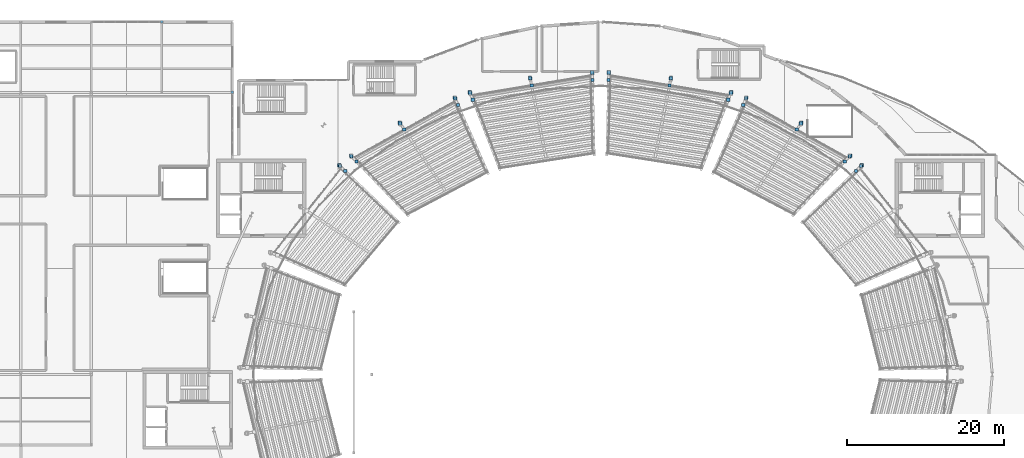
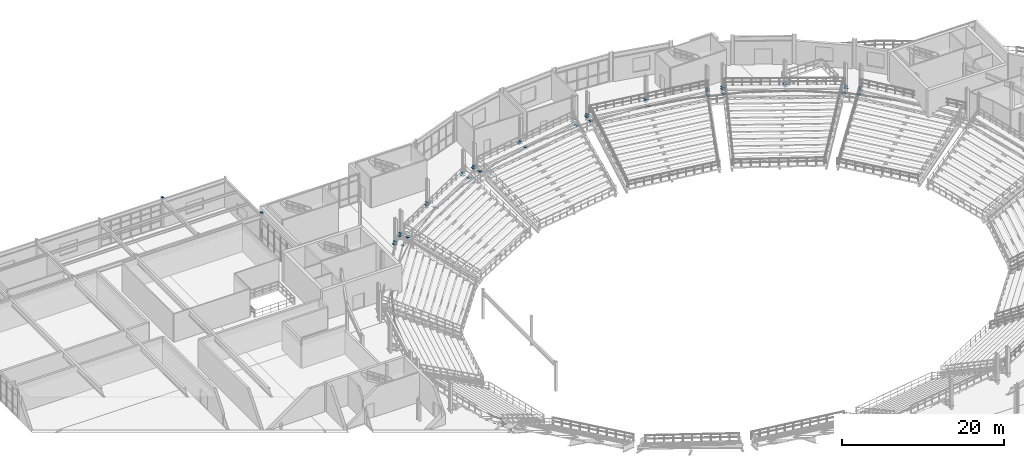
# One storey, part 69 of 81: 44 discrete accessories.
"""IFC4 building model written with IfcOpenShell, lengths in metres."""

from ifc_helpers import new_model, si_unit, direction, frame, origin, origin_2d, place, context, subcontext, project, spatial, rectangle, extrude, material, type_object, element, save


model = new_model("IFC4")

# Units and contexts
model_context = context("Model", 3, precision=1e-05, world=origin(), true_north=direction((0.0, 1.0)))
body_context = subcontext(model_context, "Body", "Model", "MODEL_VIEW")
ifc_project = project(units=[si_unit("LENGTHUNIT", "METRE"), si_unit("AREAUNIT", "SQUARE_METRE"), si_unit("VOLUMEUNIT", "CUBIC_METRE"), si_unit("PLANEANGLEUNIT", "RADIAN"), si_unit("MASSUNIT", "GRAM", prefix="KILO")], contexts=[model_context])

# Site, building, storey
site_placement = place(None, origin())
site = spatial("IfcSite", under=ifc_project, at=site_placement, CompositionType="ELEMENT")
building_placement = place(site_placement, origin())
building = spatial("IfcBuilding", under=site, at=building_placement, Name="Glasvene Arena", CompositionType="ELEMENT")
storey_placement = place(building_placement, frame((0.0, 0.0, 15.0)))
storey = spatial("IfcBuildingStorey", under=building, at=storey_placement, Name="L03", CompositionType="ELEMENT", Elevation=15.0)

# Discrete accessories
ifc_material = material(Name="Steel S355J2", Category="steel")
discrete_accessory_type_1 = type_object("IfcDiscreteAccessoryType", Name="ACC-BRACE-GP20", PredefinedType="BRACKET", material=ifc_material)
for number, where, z_axis, x_axis, name in (
    (1, (125.256591796875, 99.59912109375, 0.994140625), (0.0, 0.0, 1.0), (1.0, 0.0, 0.0), "Cast-in raker and haunch embed plate 02-3-1"),
    (2, (124.605712890625, 98.977294921875, 0.5888671875), (0.0, 0.0, 1.0), (1.0, 0.0, 0.0), "Cast-in raker and haunch embed plate 02-3-2"),
    (3, (125.34326171875, 99.681884765625, 0.5888671875), (0.0, 0.0, 1.0), (1.0, 0.0, 0.0), "Cast-in raker and haunch embed plate 02-3-3"),
    (4, (123.780517578125, 100.834228515625, 0.994140625), (0.0, 0.0, 1.0), (1.0, 0.0, 0.0), "Cast-in raker and haunch embed plate 03-1-1"),
    (5, (123.15869140625, 100.18359375, 0.5888671875), (0.0, 0.0, 1.0), (1.0, 0.0, 0.0), "Cast-in raker and haunch embed plate 03-1-2"),
    (6, (123.863525390625, 100.9208984375, 0.5888671875), (0.0, 0.0, 1.0), (1.0, 0.0, 0.0), "Cast-in raker and haunch embed plate 03-1-3"),
    (7, (117.55615234375, 105.01171875, 0.93408203125), (0.0, 0.0, 1.0), (1.0, 0.0, 0.0), "Cast-in raker and haunch embed plate 03-2-1"),
    (8, (117.05615234375, 104.26318359375, 0.52880859375), (0.0, 0.0, 1.0), (1.0, 0.0, 0.0), "Cast-in raker and haunch embed plate 03-2-2"),
    (9, (117.622802734375, 105.111328125, 0.52880859375), (0.0, 0.0, 1.0), (1.0, 0.0, 0.0), "Cast-in raker and haunch embed plate 03-2-3"),
    (10, (110.56298828125, 108.225830078125, 0.994140625), (0.0, 0.0, 1.0), (1.0, 0.0, 0.0), "Cast-in raker and haunch embed plate 03-3-1"),
    (11, (110.199951171875, 107.40234375, 0.5888671875), (0.0, 0.0, 1.0), (1.0, 0.0, 0.0), "Cast-in raker and haunch embed plate 03-3-2"),
    (12, (110.611572265625, 108.335693359375, 0.5888671875), (0.0, 0.0, 1.0), (1.0, 0.0, 0.0), "Cast-in raker and haunch embed plate 03-3-3"),
    (13, (108.634765625, 108.89453125, 0.994140625), (0.0, 0.0, 1.0), (1.0, 0.0, 0.0), "Cast-in raker and haunch embed plate 04-1-1"),
    (14, (108.30908203125, 108.055419921875, 0.5888671875), (0.0, 0.0, 1.0), (1.0, 0.0, 0.0), "Cast-in raker and haunch embed plate 04-1-2"),
    (15, (108.677978515625, 109.00634765625, 0.5888671875), (0.0, 0.0, 1.0), (1.0, 0.0, 0.0), "Cast-in raker and haunch embed plate 04-1-3"),
    (16, (100.97412109375, 110.76025390625, 0.93408203125), (0.0, 0.0, 1.0), (1.0, 0.0, 0.0), "Cast-in raker and haunch embed plate 04-2-1"),
    (17, (100.798583984375, 109.87744140625, 0.52880859375), (0.0, 0.0, 1.0), (1.0, 0.0, 0.0), "Cast-in raker and haunch embed plate 04-2-2"),
    (18, (100.99755859375, 110.8779296875, 0.52880859375), (0.0, 0.0, 1.0), (1.0, 0.0, 0.0), "Cast-in raker and haunch embed plate 04-2-3"),
    (19, (93.043701171875, 111.489990234375, 0.994140625), (0.0, 0.0, 1.0), (1.0, 0.0, 0.0), "Cast-in raker and haunch embed plate 04-3-1"),
    (20, (93.023193359375, 110.59033203125, 0.5888671875), (0.0, 0.0, 1.0), (1.0, 0.0, 0.0), "Cast-in raker and haunch embed plate 04-3-2"),
    (21, (93.04638671875, 111.610107421875, 0.5888671875), (0.0, 0.0, 1.0), (1.0, 0.0, 0.0), "Cast-in raker and haunch embed plate 04-3-3"),
    (22, (90.956298828125, 111.489990234375, 0.994140625), (0.0, 0.0, 1.0), (1.0, 0.0, 0.0), "Cast-in raker and haunch embed plate 05-1-1"),
    (23, (90.976806640625, 110.59033203125, 0.5888671875), (0.0, 0.0, 1.0), (1.0, 0.0, 0.0), "Cast-in raker and haunch embed plate 05-1-2"),
    (24, (90.95361328125, 111.610107421875, 0.5888671875), (0.0, 0.0, 1.0), (1.0, 0.0, 0.0), "Cast-in raker and haunch embed plate 05-1-3"),
    (25, (83.02587890625, 110.76025390625, 0.93408203125), (0.0, 0.0, 1.0), (1.0, 0.0, 0.0), "Cast-in raker and haunch embed plate 05-2-1"),
    (26, (83.201416015625, 109.87744140625, 0.52880859375), (0.0, 0.0, 1.0), (1.0, 0.0, 0.0), "Cast-in raker and haunch embed plate 05-2-2"),
    (27, (83.00244140625, 110.8779296875, 0.52880859375), (0.0, 0.0, 1.0), (1.0, 0.0, 0.0), "Cast-in raker and haunch embed plate 05-2-3"),
    (28, (75.365234375, 108.89453125, 0.994140625), (0.0, 0.0, 1.0), (1.0, 0.0, 0.0), "Cast-in raker and haunch embed plate 05-3-1"),
    (29, (75.69091796875, 108.055419921875, 0.5888671875), (0.0, 0.0, 1.0), (1.0, 0.0, 0.0), "Cast-in raker and haunch embed plate 05-3-2"),
    (30, (75.322021484375, 109.00634765625, 0.5888671875), (0.0, 0.0, 1.0), (1.0, 0.0, 0.0), "Cast-in raker and haunch embed plate 05-3-3"),
    (31, (73.43701171875, 108.225830078125, 0.994140625), (0.0, 0.0, 1.0), (1.0, 0.0, 0.0), "Cast-in raker and haunch embed plate 06-1-1"),
    (32, (73.800048828125, 107.40234375, 0.5888671875), (0.0, 0.0, 1.0), (1.0, 0.0, 0.0), "Cast-in raker and haunch embed plate 06-1-2"),
    (33, (73.388427734375, 108.335693359375, 0.5888671875), (0.0, 0.0, 1.0), (1.0, 0.0, 0.0), "Cast-in raker and haunch embed plate 06-1-3"),
    (34, (66.44384765625, 105.01171875, 0.93408203125), (0.0, 0.0, 1.0), (1.0, 0.0, 0.0), "Cast-in raker and haunch embed plate 06-2-1"),
    (35, (66.94384765625, 104.26318359375, 0.52880859375), (0.0, 0.0, 1.0), (1.0, 0.0, 0.0), "Cast-in raker and haunch embed plate 06-2-2"),
    (36, (66.377197265625, 105.111328125, 0.52880859375), (0.0, 0.0, 1.0), (1.0, 0.0, 0.0), "Cast-in raker and haunch embed plate 06-2-3"),
    (37, (60.219482421875, 100.834228515625, 0.994140625), (0.0, 0.0, 1.0), (1.0, 0.0, 0.0), "Cast-in raker and haunch embed plate 06-3-1"),
    (38, (60.84130859375, 100.18359375, 0.5888671875), (0.0, 0.0, 1.0), (1.0, 0.0, 0.0), "Cast-in raker and haunch embed plate 06-3-2"),
    (39, (60.136474609375, 100.9208984375, 0.5888671875), (0.0, 0.0, 1.0), (1.0, 0.0, 0.0), "Cast-in raker and haunch embed plate 06-3-3"),
    (40, (58.743408203125, 99.59912109375, 0.994140625), (0.0, 0.0, 1.0), (1.0, 0.0, 0.0), "Cast-in raker and haunch embed plate 07-1-1"),
    (41, (59.394287109375, 98.977294921875, 0.5888671875), (0.0, 0.0, 1.0), (1.0, 0.0, 0.0), "Cast-in raker and haunch embed plate 07-1-2"),
    (42, (58.65673828125, 99.681884765625, 0.5888671875), (0.0, 0.0, 1.0), (1.0, 0.0, 0.0), "Cast-in raker and haunch embed plate 07-1-3"),
):
    element("IfcDiscreteAccessory", number, at=place(storey_placement, frame(where, z_axis=z_axis, x_axis=x_axis)), inside=storey, type_object=discrete_accessory_type_1, Name=name, PredefinedType="BRACKET", context=body_context, shape_type="SweptSolid", body=[
        extrude(rectangle(XDim=0.419921875, YDim=0.419921875, at=origin_2d()), origin(), (0.0, 0.0, 1.0), 0.031982421875),
    ])
discrete_accessory_type_2 = type_object("IfcDiscreteAccessoryType", Name="ACC-CAP-SHS320", PredefinedType="USERDEFINED", material=ifc_material)
for number, where, z_axis, x_axis, name in (
    (43, (36.0, 118.0, 4.498046875), (0.0, 0.0, 1.0), (1.0, 0.0, 0.0), "Hollow column top cap plate 5-14 L03"),
    (44, (45.0, 109.0, 4.498046875), (0.0, 0.0, 1.0), (1.0, 0.0, 0.0), "Hollow column top cap plate 6-13 L03"),
):
    element("IfcDiscreteAccessory", number, at=place(storey_placement, frame(where, z_axis=z_axis, x_axis=x_axis)), inside=storey, type_object=discrete_accessory_type_2, Name=name, ObjectType="CAP PLATE", PredefinedType="USERDEFINED", context=body_context, shape_type="SweptSolid", body=[
        extrude(rectangle(XDim=0.320068359375, YDim=0.320068359375, at=origin_2d()), origin(), (0.0, 0.0, 1.0), 0.02001953125),
    ])

save(model, "model.ifc")
